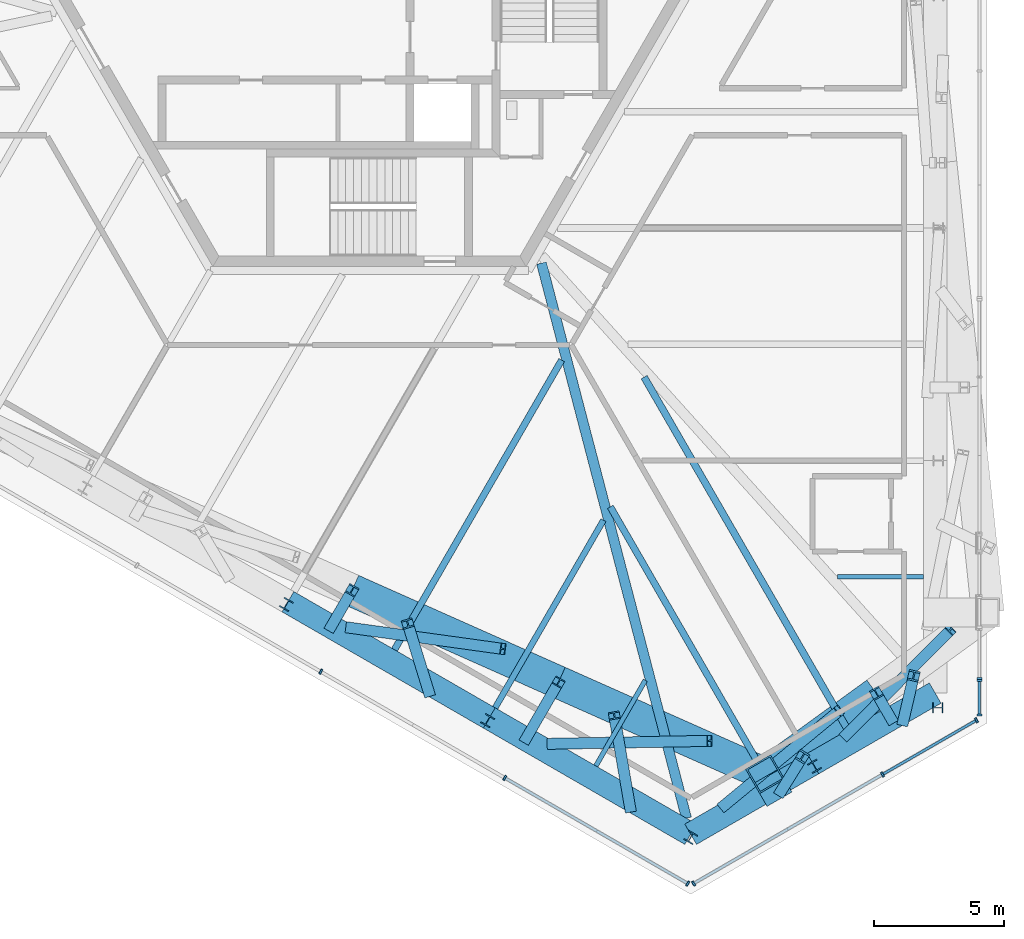
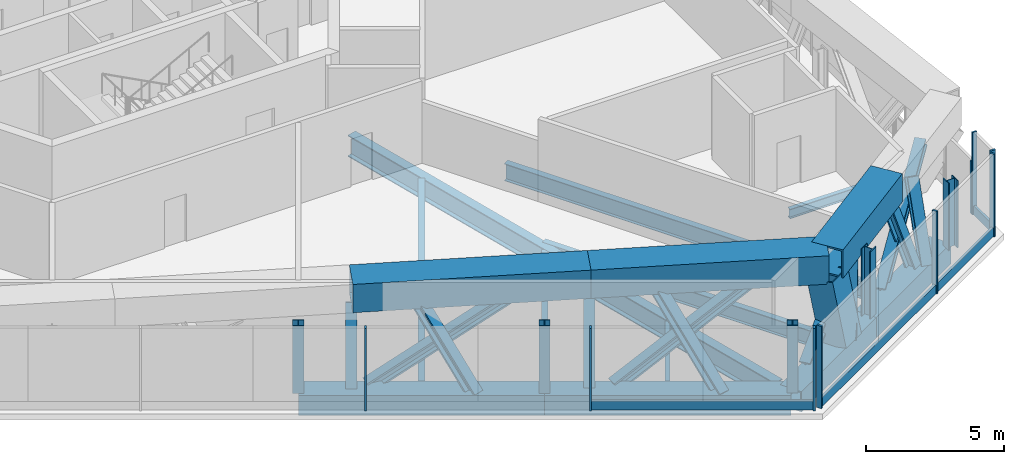
# One storey, part 3 of 23: 37 members, 7 beams, 4 elements without a shape of their own.
"""IFC4 building model written with IfcOpenShell, lengths in metres."""

from ifc_helpers import new_model, si_unit, direction, frame, origin, origin_2d, place, context, subcontext, project, spatial, rectangle, hollow_rectangle, i_section, extrude, source, transform, mapped, material, material_profile, profile_set, type_object, element, aggregate, save


model = new_model("IFC4")

# Units and contexts
model_context = context("Model", 3, precision=1e-05, world=origin(), true_north=direction((0.0, 1.0)))
body_context = subcontext(model_context, "Body", "Model", "MODEL_VIEW")
ifc_project = project(units=[si_unit("LENGTHUNIT", "METRE"), si_unit("AREAUNIT", "SQUARE_METRE"), si_unit("VOLUMEUNIT", "CUBIC_METRE"), si_unit("PLANEANGLEUNIT", "RADIAN"), si_unit("MASSUNIT", "GRAM", prefix="KILO")], contexts=[model_context])

# Site, building, storey
site_placement = place(None, origin())
site = spatial("IfcSite", under=ifc_project, at=site_placement, CompositionType="ELEMENT")
building_placement = place(site_placement, origin())
building = spatial("IfcBuilding", under=site, at=building_placement, Name="Triune Harvest Tower", CompositionType="ELEMENT")
storey_placement = place(building_placement, frame((0.0, 0.0, 54.699951171875)))
storey = spatial("IfcBuildingStorey", under=building, at=storey_placement, Name="L12", CompositionType="ELEMENT", Elevation=54.699951171875)

# Beams
ifc_material_1 = material(Name="Steel ASTM A992 Gr 50", Category="steel")
ifc_material_profile_1 = material_profile(ifc_material_1, i_section(OverallWidth=0.383544921875, OverallDepth=0.9423828125, WebThickness=0.022216796875, FlangeThickness=0.039794921875, at=origin_2d()), Name="W36x232")
ifc_profile_set_1 = profile_set([ifc_material_profile_1], Name="Steel ASTM A992 Gr 50")
beam_type_1 = type_object("IfcBeamType", Name="HG-1 Hip girder W36x232", PredefinedType="BEAM", material=ifc_profile_set_1)
beam_1_placement = place(storey_placement, frame((12.1494140625, -31.528076171875, -0.72119140625), z_axis=(-0.252701696563, 0.967544238035, 0.0), x_axis=(-0.967544238035, -0.252701696563, 0.0)))
element("IfcBeam", 1, at=beam_1_placement, inside=storey, type_object=beam_type_1, Name="beam/L12/HG6", PredefinedType="BEAM", context=body_context, shape_type="SweptSolid", body=[
    extrude(i_section(OverallWidth=0.383544921875, OverallDepth=0.9423828125, WebThickness=0.022216796875, FlangeThickness=0.039794921875, at=origin_2d()), origin(), (0.0, 0.0, 1.0), 21.986083984375),
])
ifc_material_2 = material(Name="Steel ASTM A992 Gr 50", Category="steel")
ifc_material_profile_2 = material_profile(ifc_material_2, i_section(OverallWidth=0.22900390625, OverallDepth=0.612060546875, WebThickness=0.011962890625, FlangeThickness=0.01953125, at=origin_2d()), Name="W24x84")
ifc_profile_set_2 = profile_set([ifc_material_profile_2], Name="Steel ASTM A992 Gr 50")
beam_type_2 = type_object("IfcBeamType", Name="JT-3 Floor joist W24x84", PredefinedType="JOIST", material=ifc_profile_set_2)
beam_2_placement = place(storey_placement, frame((4.81787109375, -27.29541015625, -0.55615234375), z_axis=(0.499976205214, 0.866039141275, 0.0), x_axis=(-0.866039141275, 0.499976205214, 0.0)))
element("IfcBeam", 2, at=beam_2_placement, inside=storey, type_object=beam_type_2, Name="beam/L12/JT36", PredefinedType="JOIST", context=body_context, shape_type="SweptSolid", body=[
    extrude(i_section(OverallWidth=0.22900390625, OverallDepth=0.612060546875, WebThickness=0.011962890625, FlangeThickness=0.01953125, at=origin_2d()), origin(), (0.0, 0.0, 1.0), 8.30078125),
])
ifc_material_3 = material(Name="Steel ASTM A992 Gr 50", Category="steel")
ifc_material_profile_3 = material_profile(ifc_material_3, i_section(OverallWidth=0.180908203125, OverallDepth=0.41650390625, WebThickness=0.010986328125, FlangeThickness=0.01806640625, at=origin_2d()), Name="W16x57")
ifc_profile_set_3 = profile_set([ifc_material_profile_3], Name="Steel ASTM A992 Gr 50")
beam_type_3 = type_object("IfcBeamType", Name="JT-1 Floor joist W16x57", PredefinedType="JOIST", material=ifc_profile_set_3)
shared_shape_1 = source(origin(), body_context, "Body", "SweptSolid", [
    extrude(i_section(OverallWidth=0.180908203125, OverallDepth=0.41650390625, WebThickness=0.010986328125, FlangeThickness=0.01806640625, at=origin_2d()), origin(), (0.0, 0.0, 1.0), 3.3017578125),
])
beam_3_placement = place(storey_placement, frame((21.2294921875, -22.27490234375, -0.458251953125), z_axis=(-1.0, 0.0, 0.0), x_axis=(0.0, -1.0, 0.0)))
element("IfcBeam", 3, at=beam_3_placement, inside=storey, type_object=beam_type_3, Name="beam/L12/JT1", PredefinedType="JOIST", context=body_context, shape_type="MappedRepresentation", body=[
    mapped(shared_shape_1, transform((0.0, 0.0, 0.0), scale=1.0)),
])
ifc_material_4 = material(Name="Steel ASTM A992 Gr 50", Category="steel")
ifc_material_profile_4 = material_profile(ifc_material_4, i_section(OverallWidth=0.253662109375, OverallDepth=0.683349609375, WebThickness=0.012451171875, FlangeThickness=0.01904296875, at=origin_2d()), Name="W27x94")
ifc_profile_set_4 = profile_set([ifc_material_profile_4], Name="Steel ASTM A992 Gr 50")
beam_type_4 = type_object("IfcBeamType", Name="JT-4 Floor joist W27x94", PredefinedType="JOIST", material=ifc_profile_set_4)
shared_shape_2 = source(origin(), body_context, "Body", "SweptSolid", [
    extrude(i_section(OverallWidth=0.253662109375, OverallDepth=0.683349609375, WebThickness=0.012451171875, FlangeThickness=0.01904296875, at=origin_2d()), origin(), (0.0, 0.0, 1.0), 12.8125),
])
beam_4_placement = place(storey_placement, frame((0.959716796875, -25.06787109375, -0.591552734375), z_axis=(0.500000108836, 0.866025340948, 0.0), x_axis=(-0.866025340948, 0.500000108836, 0.0)))
element("IfcBeam", 4, at=beam_4_placement, inside=storey, type_object=beam_type_4, Name="beam/L12/JT35", PredefinedType="JOIST", context=body_context, shape_type="MappedRepresentation", body=[
    mapped(shared_shape_2, transform((0.0, 0.0, 0.0), scale=1.0)),
])
shared_shape_3 = source(origin(), body_context, "Body", "SweptSolid", [
    extrude(i_section(OverallWidth=0.180908203125, OverallDepth=0.41650390625, WebThickness=0.010986328125, FlangeThickness=0.01806640625, at=origin_2d()), origin(), (0.0, 0.0, 1.0), 3.788818359375),
])
beam_5_placement = place(storey_placement, frame((8.676025390625, -29.522705078125, -0.458251953125), z_axis=(0.4999716012, 0.866041799218, 0.0), x_axis=(-0.866041799218, 0.4999716012, 0.0)))
element("IfcBeam", 5, at=beam_5_placement, inside=storey, type_object=beam_type_3, Name="beam/L12/JT37", PredefinedType="JOIST", context=body_context, shape_type="MappedRepresentation", body=[
    mapped(shared_shape_3, transform((0.0, 0.0, 0.0), scale=1.0)),
])
shared_shape_4 = source(origin(), body_context, "Body", "SweptSolid", [
    extrude(i_section(OverallWidth=0.253662109375, OverallDepth=0.683349609375, WebThickness=0.012451171875, FlangeThickness=0.01904296875, at=origin_2d()), origin(), (0.0, 0.0, 1.0), 11.953125),
])
beam_6_placement = place(storey_placement, frame((15.20751953125, -29.947021484375, -0.591552734375), z_axis=(-0.499996495671, 0.866027427, 0.0), x_axis=(-0.866027427, -0.499996495671, 0.0)))
element("IfcBeam", 6, at=beam_6_placement, inside=storey, type_object=beam_type_4, Name="beam/L12/JT38", PredefinedType="JOIST", context=body_context, shape_type="MappedRepresentation", body=[
    mapped(shared_shape_4, transform((0.0, 0.0, 0.0), scale=1.0)),
])
ifc_material_5 = material(Name="Steel ASTM A992 Gr 50", Category="steel")
ifc_material_profile_5 = material_profile(ifc_material_5, i_section(OverallWidth=0.2666015625, OverallDepth=0.7568359375, WebThickness=0.013916015625, FlangeThickness=0.019287109375, at=origin_2d()), Name="W30x108")
ifc_profile_set_5 = profile_set([ifc_material_profile_5], Name="Steel ASTM A992 Gr 50")
beam_type_5 = type_object("IfcBeamType", Name="JT-5 Floor joist W30x108", PredefinedType="JOIST", material=ifc_profile_set_5)
shared_shape_5 = source(origin(), body_context, "Body", "SweptSolid", [
    extrude(i_section(OverallWidth=0.2666015625, OverallDepth=0.7568359375, WebThickness=0.013916015625, FlangeThickness=0.019287109375, at=origin_2d()), origin(), (0.0, 0.0, 1.0), 15.610107421875),
])
beam_7_placement = place(storey_placement, frame((18.3310546875, -28.1435546875, -0.62841796875), z_axis=(-0.50000449891, 0.866022806322, 0.0), x_axis=(-0.866022806322, -0.50000449891, 0.0)))
element("IfcBeam", 7, at=beam_7_placement, inside=storey, type_object=beam_type_5, Name="beam/L12/JT39", PredefinedType="JOIST", context=body_context, shape_type="MappedRepresentation", body=[
    mapped(shared_shape_5, transform((0.0, 0.0, 0.0), scale=1.0)),
])

# Members
ifc_material_6 = material(Name="Steel ASTM A992 Gr 50", Category="steel")
ifc_material_profile_6 = material_profile(ifc_material_6, i_section(OverallWidth=0.40380859375, OverallDepth=0.406494140625, WebThickness=0.027099609375, FlangeThickness=0.043701171875, at=origin_2d()), Name="W14x233")
ifc_profile_set_6 = profile_set([ifc_material_profile_6], Name="Steel ASTM A992 Gr 50")
member_type_1 = type_object("IfcMemberType", Name="WP-1 Roof edge post W14x233", PredefinedType="POST", material=ifc_profile_set_6)
shared_shape_6 = source(origin(), body_context, "Body", "SweptSolid", [
    extrude(i_section(OverallWidth=0.40380859375, OverallDepth=0.406494140625, WebThickness=0.027099609375, FlangeThickness=0.043701171875, at=origin_2d()), origin(), (0.0, 0.0, 1.0), 2.9755859375),
])
for number, where, z_axis, x_axis, name in (
    (8, (21.782470703125, -27.2900390625, -0.25), (0.0, 0.0, 1.0), (0.0, 1.0, 0.0), "post/L12/W0"),
    (9, (-3.18359375, -23.333984375, -0.25), (0.0, 0.0, 1.0), (0.866025403784, -0.5, 0.0), "post/L12/W20"),
    (10, (4.53271484375, -27.788818359375, -0.25), (0.0, 0.0, 1.0), (0.866025403784, -0.5, 0.0), "post/L12/W21"),
    (11, (12.30908203125, -32.260009765625, -0.25), (0.0, 0.0, 1.0), (0.866025403784, -0.5, 0.0), "post/L12/W22"),
    (12, (17.05419921875, -29.538818359375, -0.25), (0.0, 0.0, 1.0), (0.866026276448, 0.4999984885, 0.0), "post/L12/W23"),
):
    element("IfcMember", number, at=place(storey_placement, frame(where, z_axis=z_axis, x_axis=x_axis)), inside=storey, type_object=member_type_1, Name=name, PredefinedType="POST", context=body_context, shape_type="MappedRepresentation", body=[
        mapped(shared_shape_6, transform((0.0, 0.0, 0.0), scale=1.0)),
    ])
ifc_material_7 = material(Name="Steel ASTM A572 Gr 50", Category="steel")
ifc_material_profile_7 = material_profile(ifc_material_7, hollow_rectangle(XDim=0.89990234375, YDim=0.89990234375, WallThickness=0.050048828125, at=origin_2d()), Name="Box 900x900x50")
ifc_profile_set_7 = profile_set([ifc_material_profile_7], Name="Steel ASTM A572 Gr 50")
member_type_2 = type_object("IfcMemberType", Name="TC-2 Belt truss chord Box 900x900x50", PredefinedType="CHORD", material=ifc_profile_set_7)
shared_shape_7 = source(origin(), body_context, "Body", "SweptSolid", [
    extrude(hollow_rectangle(XDim=0.89990234375, YDim=0.89990234375, WallThickness=0.050048828125, at=origin_2d()), origin(), (0.0, 0.0, 1.0), 8.909912109375),
])
member_1_placement = place(storey_placement, frame((4.5927734375, -27.68505859375, -0.699951171875), z_axis=(0.866034096015, -0.499984944314, 0.0), x_axis=(0.499984944314, 0.866034096015, 0.0)))
element("IfcMember", 13, at=member_1_placement, inside=storey, type_object=member_type_2, Name="truss/L12/TCB22", PredefinedType="CHORD", context=body_context, shape_type="MappedRepresentation", body=[
    mapped(shared_shape_7, transform((0.0, 0.0, 0.0), scale=1.0)),
])
shared_shape_8 = source(origin(), body_context, "Body", "SweptSolid", [
    extrude(hollow_rectangle(XDim=0.89990234375, YDim=0.89990234375, WallThickness=0.050048828125, at=origin_2d()), origin(), (0.0, 0.0, 1.0), 8.91015625),
])
member_2_placement = place(storey_placement, frame((-3.12353515625, -23.22998046875, -0.699951171875), z_axis=(0.866022231217, -0.500005495009, 0.0), x_axis=(0.500005495009, 0.866022231217, 0.0)))
element("IfcMember", 14, at=member_2_placement, inside=storey, type_object=member_type_2, Name="truss/L12/TCB21", PredefinedType="CHORD", context=body_context, shape_type="MappedRepresentation", body=[
    mapped(shared_shape_8, transform((0.0, 0.0, 0.0), scale=1.0)),
])
shared_shape_9 = source(origin(), body_context, "Body", "SweptSolid", [
    extrude(hollow_rectangle(XDim=0.89990234375, YDim=0.89990234375, WallThickness=0.050048828125, at=origin_2d()), origin(), (0.0, 0.0, 1.0), 5.409912109375),
])
for number, where, z_axis, x_axis, name in (
    (15, (12.30908203125, -32.139892578125, -0.699951171875), (0.866043556948, 0.499968556481, 0.0), (-0.499968556481, 0.866043556948, 0.0), "truss/L12/TCB23"),
    (16, (16.994384765625, -29.43505859375, -0.699951171875), (0.866012734315, 0.500021943523, 0.0), (-0.500021943523, 0.866012734315, 0.0), "truss/L12/TCB24"),
):
    element("IfcMember", number, at=place(storey_placement, frame(where, z_axis=z_axis, x_axis=x_axis)), inside=storey, type_object=member_type_2, Name=name, PredefinedType="CHORD", context=body_context, shape_type="MappedRepresentation", body=[
        mapped(shared_shape_9, transform((0.0, 0.0, 0.0), scale=1.0)),
    ])
ifc_material_8 = material(Name="Steel ASTM A572 Gr 50", Category="steel")
ifc_material_profile_8 = material_profile(ifc_material_8, hollow_rectangle(XDim=1.25, YDim=1.25, WallThickness=0.070068359375, at=origin_2d()), Name="Box 1250x1250x70")
ifc_profile_set_8 = profile_set([ifc_material_profile_8], Name="Steel ASTM A572 Gr 50")
member_type_3 = type_object("IfcMemberType", Name="TC-1 Belt truss chord Box 1250x1250x70", PredefinedType="CHORD", material=ifc_profile_set_8)
shared_shape_10 = source(origin(), body_context, "Body", "SweptSolid", [
    extrude(hollow_rectangle(XDim=1.25, YDim=1.25, WallThickness=0.070068359375, at=origin_2d()), origin(), (0.0, 0.0, 1.0), 8.662109375),
])
member_3_placement = place(storey_placement, frame((-0.665771484375, -22.792236328125, 3.01513671875), z_axis=(0.913547524684, -0.406732000392, 0.0), x_axis=(0.406732000392, 0.913547524684, 0.0)))
element("IfcMember", 17, at=member_3_placement, inside=storey, type_object=member_type_3, Name="truss/L12/TCT21", PredefinedType="CHORD", context=body_context, shape_type="MappedRepresentation", body=[
    mapped(shared_shape_10, transform((0.0, 0.0, 0.0), scale=1.0)),
])
shared_shape_11 = source(origin(), body_context, "Body", "SweptSolid", [
    extrude(hollow_rectangle(XDim=1.25, YDim=1.25, WallThickness=0.070068359375, at=origin_2d()), origin(), (0.0, 0.0, 1.0), 8.662353515625),
])
member_4_placement = place(storey_placement, frame((7.24755859375, -26.3154296875, 3.01513671875), z_axis=(0.913537051977, -0.406755521986, 0.0), x_axis=(0.406755521986, 0.913537051977, 0.0)))
element("IfcMember", 18, at=member_4_placement, inside=storey, type_object=member_type_3, Name="truss/L12/TCT22", PredefinedType="CHORD", context=body_context, shape_type="MappedRepresentation", body=[
    mapped(shared_shape_11, transform((0.0, 0.0, 0.0), scale=1.0)),
])
shared_shape_12 = source(origin(), body_context, "Body", "SweptSolid", [
    extrude(hollow_rectangle(XDim=1.25, YDim=1.25, WallThickness=0.070068359375, at=origin_2d()), origin(), (0.0, 0.0, 1.0), 5.273193359375),
])
member_5_placement = place(storey_placement, frame((15.160888671875, -29.8388671875, 3.01513671875), z_axis=(0.809008278937, 0.587797247876, 0.0), x_axis=(-0.587797247876, 0.809008278937, 0.0)))
element("IfcMember", 19, at=member_5_placement, inside=storey, type_object=member_type_3, Name="truss/L12/TCT23", PredefinedType="CHORD", context=body_context, shape_type="MappedRepresentation", body=[
    mapped(shared_shape_12, transform((0.0, 0.0, 0.0), scale=1.0)),
])
ifc_material_9 = material(Name="Steel ASTM A992 Gr 50", Category="steel")
ifc_material_profile_9 = material_profile(ifc_material_9, i_section(OverallWidth=0.411376953125, OverallDepth=0.434326171875, WebThickness=0.035888671875, FlangeThickness=0.057373046875, at=origin_2d()), Name="W14x311")
ifc_profile_set_9 = profile_set([ifc_material_profile_9], Name="Steel ASTM A992 Gr 50")
member_type_4 = type_object("IfcMemberType", Name="TV-1 Belt truss strut W14x311", PredefinedType="STRUT", material=ifc_profile_set_9)
shared_shape_13 = source(origin(), body_context, "Body", "SweptSolid", [
    extrude(i_section(OverallWidth=0.411376953125, OverallDepth=0.434326171875, WebThickness=0.035888671875, FlangeThickness=0.057373046875, at=origin_2d()), origin(), (0.0, 0.0, 1.0), 3.142578125),
])
member_6_placement = place(storey_placement, frame((-1.4697265625, -24.184814453125, -0.27490234375), z_axis=(0.255832342786, 0.443142327134, 0.859170931938), x_axis=(-0.866038942563, 0.499976549414, 0.0)))
element("IfcMember", 20, at=member_6_placement, inside=storey, type_object=member_type_4, Name="truss/L12/TS21", PredefinedType="STRUT", context=body_context, shape_type="MappedRepresentation", body=[
    mapped(shared_shape_13, transform((0.0, 0.0, 0.0), scale=1.0)),
])
shared_shape_14 = source(origin(), body_context, "Body", "SweptSolid", [
    extrude(i_section(OverallWidth=0.411376953125, OverallDepth=0.434326171875, WebThickness=0.035888671875, FlangeThickness=0.057373046875, at=origin_2d()), origin(), (0.0, 0.0, 1.0), 3.688720703125),
])
member_7_placement = place(storey_placement, frame((5.990966796875, -28.4921875, -0.27490234375), z_axis=(0.340653211593, 0.590103756472, 0.731937802022), x_axis=(-0.866052952139, 0.499952281815, 0.0)))
element("IfcMember", 21, at=member_7_placement, inside=storey, type_object=member_type_4, Name="truss/L12/TS22", PredefinedType="STRUT", context=body_context, shape_type="MappedRepresentation", body=[
    mapped(shared_shape_14, transform((0.0, 0.0, 0.0), scale=1.0)),
])
ifc_material_10 = material(Name="Steel ASTM A572 Gr 50", Category="steel")
ifc_material_profile_10 = material_profile(ifc_material_10, hollow_rectangle(XDim=1.10009765625, YDim=1.10009765625, WallThickness=0.06005859375, at=origin_2d()), Name="Box 1100x1100x60")
ifc_profile_set_10 = profile_set([ifc_material_profile_10], Name="Steel ASTM A572 Gr 50")
member_type_5 = type_object("IfcMemberType", Name="TS-1 Belt truss raked strut Box 1100x1100x60", PredefinedType="STRUT", material=ifc_profile_set_10)
shared_shape_15 = source(origin(), body_context, "Body", "SweptSolid", [
    extrude(hollow_rectangle(XDim=1.10009765625, YDim=1.10009765625, WallThickness=0.06005859375, at=origin_2d()), origin(), (0.0, 0.0, 1.0), 2.7587890625),
])
member_8_placement = place(storey_placement, frame((15.4443359375, -30.329833984375, -0.27490234375), z_axis=(-0.102741945503, 0.177962146776, 0.978659065737), x_axis=(-0.8660349869, -0.499983401189, 0.0)))
element("IfcMember", 22, at=member_8_placement, inside=storey, type_object=member_type_5, Name="truss/L12/TS23", PredefinedType="STRUT", context=body_context, shape_type="MappedRepresentation", body=[
    mapped(shared_shape_15, transform((0.0, 0.0, 0.0), scale=1.0)),
])
shared_shape_16 = source(origin(), body_context, "Body", "SweptSolid", [
    extrude(i_section(OverallWidth=0.411376953125, OverallDepth=0.434326171875, WebThickness=0.035888671875, FlangeThickness=0.057373046875, at=origin_2d()), origin(), (0.0, 0.0, 1.0), 2.92236328125),
])
member_9_placement = place(storey_placement, frame((19.986083984375, -27.70751953125, -0.27490234375), z_axis=(-0.191315726979, 0.331335446812, 0.923912936535), x_axis=(-0.866003766563, -0.500037474894, 0.0)))
element("IfcMember", 23, at=member_9_placement, inside=storey, type_object=member_type_4, Name="truss/L12/TS24", PredefinedType="STRUT", context=body_context, shape_type="MappedRepresentation", body=[
    mapped(shared_shape_16, transform((0.0, 0.0, 0.0), scale=1.0)),
])
ifc_material_11 = material(Name="Steel ASTM A992 Gr 50", Category="steel")
ifc_material_profile_11 = material_profile(ifc_material_11, i_section(OverallWidth=0.424072265625, OverallDepth=0.47509765625, WebThickness=0.0478515625, FlangeThickness=0.0771484375, at=origin_2d()), Name="W14x426")
ifc_profile_set_11 = profile_set([ifc_material_profile_11], Name="Steel ASTM A992 Gr 50")
member_type_6 = type_object("IfcMemberType", Name="TD-1 Belt truss diagonal W14x426", PredefinedType="BRACE", material=ifc_profile_set_11)
shared_shape_17 = source(origin(), body_context, "Body", "SweptSolid", [
    extrude(i_section(OverallWidth=0.424072265625, OverallDepth=0.47509765625, WebThickness=0.0478515625, FlangeThickness=0.0771484375, at=origin_2d()), origin(), (0.0, 0.0, 1.0), 6.58056640625),
])
member_10_placement = place(storey_placement, frame((-0.808349609375, -24.22021484375, -0.324951171875), z_axis=(0.899938014807, -0.1243967582, 0.417895939266), x_axis=(0.136926204157, 0.99058125089, 0.0)))
element("IfcMember", 24, at=member_10_placement, inside=storey, type_object=member_type_6, Name="truss/L12/TD41", PredefinedType="BRACE", context=body_context, shape_type="MappedRepresentation", body=[
    mapped(shared_shape_17, transform((0.0, 0.0, 0.0), scale=1.0)),
])
shared_shape_18 = source(origin(), body_context, "Body", "SweptSolid", [
    extrude(i_section(OverallWidth=0.424072265625, OverallDepth=0.47509765625, WebThickness=0.0478515625, FlangeThickness=0.0771484375, at=origin_2d()), origin(), (0.0, 0.0, 1.0), 4.5380859375),
])
member_11_placement = place(storey_placement, frame((9.993896484375, -31.14990234375, -0.324951171875), z_axis=(-0.134926305268, 0.783949808758, 0.605984809624), x_axis=(-0.985510053996, -0.169617019999, 0.0)))
element("IfcMember", 25, at=member_11_placement, inside=storey, type_object=member_type_6, Name="truss/L12/TD44", PredefinedType="BRACE", context=body_context, shape_type="MappedRepresentation", body=[
    mapped(shared_shape_18, transform((0.0, 0.0, 0.0), scale=1.0)),
])
shared_shape_19 = source(origin(), body_context, "Body", "SweptSolid", [
    extrude(i_section(OverallWidth=0.424072265625, OverallDepth=0.47509765625, WebThickness=0.0478515625, FlangeThickness=0.0771484375, at=origin_2d()), origin(), (0.0, 0.0, 1.0), 6.408447265625),
])
member_12_placement = place(storey_placement, frame((13.529296875, -31.089111328125, -0.324951171875), z_axis=(0.697212761945, 0.574235722682, 0.42912434023), x_axis=(-0.635747168808, 0.771897361929, 0.0)))
element("IfcMember", 26, at=member_12_placement, inside=storey, type_object=member_type_6, Name="truss/L12/TD45", PredefinedType="BRACE", context=body_context, shape_type="MappedRepresentation", body=[
    mapped(shared_shape_19, transform((0.0, 0.0, 0.0), scale=1.0)),
])
shared_shape_20 = source(origin(), body_context, "Body", "SweptSolid", [
    extrude(i_section(OverallWidth=0.424072265625, OverallDepth=0.47509765625, WebThickness=0.0478515625, FlangeThickness=0.0771484375, at=origin_2d()), origin(), (0.0, 0.0, 1.0), 3.15673828125),
])
member_13_placement = place(storey_placement, frame((15.774169921875, -30.48583984375, -0.324951171875), z_axis=(0.258710100074, 0.417261880388, 0.871184026079), x_axis=(-0.849895636519, 0.526951048036, 0.0)))
element("IfcMember", 27, at=member_13_placement, inside=storey, type_object=member_type_6, Name="truss/L12/TD46", PredefinedType="BRACE", context=body_context, shape_type="MappedRepresentation", body=[
    mapped(shared_shape_20, transform((0.0, 0.0, 0.0), scale=1.0)),
])
shared_shape_21 = source(origin(), body_context, "Body", "SweptSolid", [
    extrude(i_section(OverallWidth=0.424072265625, OverallDepth=0.47509765625, WebThickness=0.0478515625, FlangeThickness=0.0771484375, at=origin_2d()), origin(), (0.0, 0.0, 1.0), 3.263427734375),
])
member_14_placement = place(storey_placement, frame((20.45947265625, -27.78076171875, -0.324951171875), z_axis=(0.121790595458, 0.524492545917, 0.842659255058), x_axis=(-0.97408353603, 0.226188560356, 0.0)))
element("IfcMember", 28, at=member_14_placement, inside=storey, type_object=member_type_6, Name="truss/L12/TD48", PredefinedType="BRACE", context=body_context, shape_type="MappedRepresentation", body=[
    mapped(shared_shape_21, transform((0.0, 0.0, 0.0), scale=1.0)),
])
shared_shape_22 = source(origin(), body_context, "Body", "SweptSolid", [
    extrude(i_section(OverallWidth=0.424072265625, OverallDepth=0.47509765625, WebThickness=0.0478515625, FlangeThickness=0.0771484375, at=origin_2d()), origin(), (0.0, 0.0, 1.0), 3.8876953125),
])
member_15_placement = place(storey_placement, frame((2.277587890625, -26.69482421875, -0.324951171875), z_axis=(-0.208242703355, 0.67546999918, 0.707372077981), x_axis=(-0.955617503003, -0.294610230565, 0.0)))
element("IfcMember", 29, at=member_15_placement, inside=storey, type_object=member_type_6, Name="truss/L12/TD42", PredefinedType="BRACE", context=body_context, shape_type="MappedRepresentation", body=[
    mapped(shared_shape_22, transform((0.0, 0.0, 0.0), scale=1.0)),
])
shared_shape_23 = source(origin(), body_context, "Body", "SweptSolid", [
    extrude(i_section(OverallWidth=0.424072265625, OverallDepth=0.47509765625, WebThickness=0.0478515625, FlangeThickness=0.0771484375, at=origin_2d()), origin(), (0.0, 0.0, 1.0), 6.709716796875),
])
member_16_placement = place(storey_placement, frame((6.907958984375, -28.67529296875, -0.324951171875), z_axis=(0.911992940794, 0.01688336756, 0.409858302151), x_axis=(-0.01850943625, 0.999828685711, 0.0)))
element("IfcMember", 30, at=member_16_placement, inside=storey, type_object=member_type_6, Name="truss/L12/TD43", PredefinedType="BRACE", context=body_context, shape_type="MappedRepresentation", body=[
    mapped(shared_shape_23, transform((0.0, 0.0, 0.0), scale=1.0)),
])
shared_shape_24 = source(origin(), body_context, "Body", "SweptSolid", [
    extrude(i_section(OverallWidth=0.424072265625, OverallDepth=0.47509765625, WebThickness=0.0478515625, FlangeThickness=0.0771484375, at=origin_2d()), origin(), (0.0, 0.0, 1.0), 6.36865234375),
])
member_17_placement = place(storey_placement, frame((18.21435546875, -28.38427734375, -0.324951171875), z_axis=(0.635789472223, 0.639776334153, 0.431807815201), x_axis=(-0.709313423649, 0.704893230944, 0.0)))
element("IfcMember", 31, at=member_17_placement, inside=storey, type_object=member_type_6, Name="truss/L12/TD47", PredefinedType="BRACE", context=body_context, shape_type="MappedRepresentation", body=[
    mapped(shared_shape_24, transform((0.0, 0.0, 0.0), scale=1.0)),
])

# Curtain wall, members
ifc_material_12 = material(Name="Aluminium bronze anodised", Category="aluminium")
curtain_wall_type = type_object("IfcCurtainWallType", Name="CW-5 Plant louvre wall", PredefinedType="NOTDEFINED", material=ifc_material_12)
curtain_wall_1_placement = place(storey_placement, origin())
curtain_wall_1 = element("IfcCurtainWall", 32, at=curtain_wall_1_placement, inside=storey, type_object=curtain_wall_type, Name="CW-5 B1-F1 L12 run 1")
ifc_material_13 = material(Name="Aluminium bronze anodised", Category="aluminium")
ifc_material_profile_12 = material_profile(ifc_material_13, rectangle(XDim=0.199951171875, YDim=0.080078125, at=origin_2d()), Name="MU-5 mullion 80 x 200")
ifc_profile_set_12 = profile_set([ifc_material_profile_12], Name="Aluminium bronze anodised")
member_type_7 = type_object("IfcMemberType", Name="MU-5 mullion 80 x 200", PredefinedType="MULLION", material=ifc_profile_set_12)
shared_shape_25 = source(origin(), body_context, "Body", "SweptSolid", [
    extrude(rectangle(XDim=0.199951171875, YDim=0.080078125, at=origin_2d()), origin(), (0.0, 0.0, 1.0), 3.64013671875),
])
member_18_placement = place(storey_placement, frame((23.371337890625, -27.576904296875, 0.0), z_axis=(0.0, 0.0, 1.0), x_axis=(-1.0, 0.0, 0.0)))
member_18 = element("IfcMember", 33, at=member_18_placement, type_object=member_type_7, Name="CW-5 mullion B1-F1 1.1", PredefinedType="MULLION", context=body_context, shape_type="MappedRepresentation", body=[
    mapped(shared_shape_25, transform((0.0, 0.0, 0.0), scale=1.0)),
])
member_19_placement = place(storey_placement, frame((23.371337890625, -26.244873046875, 0.0), z_axis=(0.0, 0.0, 1.0), x_axis=(-1.0, 0.0, 0.0)))
member_19 = element("IfcMember", 34, at=member_19_placement, type_object=member_type_7, Name="CW-5 mullion B1-F1 1.2", PredefinedType="MULLION", context=body_context, shape_type="MappedRepresentation", body=[
    mapped(shared_shape_25, transform((0.0, 0.0, 0.0), scale=1.0)),
])

curtain_wall_2_placement = place(storey_placement, origin())
curtain_wall_2 = element("IfcCurtainWall", 35, at=curtain_wall_2_placement, inside=storey, type_object=curtain_wall_type, Name="CW-5 B1-F5 L12 run 601")
member_20_placement = place(storey_placement, frame((-1.86376953125, -25.910888671875, 0.0), z_axis=(0.0, 0.0, 1.0), x_axis=(0.499999872717, 0.866025477272, 0.0)))
member_20 = element("IfcMember", 36, at=member_20_placement, type_object=member_type_7, Name="CW-5 mullion B1-F5 601.7", PredefinedType="MULLION", context=body_context, shape_type="MappedRepresentation", body=[
    mapped(shared_shape_25, transform((0.0, 0.0, 0.0), scale=1.0)),
])
member_21_placement = place(storey_placement, frame((5.183837890625, -29.979736328125, 0.0), z_axis=(0.0, 0.0, 1.0), x_axis=(0.499999872717, 0.866025477272, 0.0)))
member_21 = element("IfcMember", 37, at=member_21_placement, type_object=member_type_7, Name="CW-5 mullion B1-F5 601.9", PredefinedType="MULLION", context=body_context, shape_type="MappedRepresentation", body=[
    mapped(shared_shape_25, transform((0.0, 0.0, 0.0), scale=1.0)),
])
member_22_placement = place(storey_placement, frame((12.196533203125, -34.028564453125, 0.0), z_axis=(0.0, 0.0, 1.0), x_axis=(0.499999872717, 0.866025477272, 0.0)))
member_22 = element("IfcMember", 38, at=member_22_placement, type_object=member_type_7, Name="CW-5 mullion B1-F5 601.11", PredefinedType="MULLION", context=body_context, shape_type="MappedRepresentation", body=[
    mapped(shared_shape_25, transform((0.0, 0.0, 0.0), scale=1.0)),
])

curtain_wall_3_placement = place(storey_placement, origin())
curtain_wall_3 = element("IfcCurtainWall", 39, at=curtain_wall_3_placement, inside=storey, type_object=curtain_wall_type, Name="CW-5 B1-F6 L12 run 1")
member_23_placement = place(storey_placement, frame((12.421630859375, -34.028564453125, 0.0), z_axis=(0.0, 0.0, 1.0), x_axis=(-0.499998715149, 0.866026145592, 0.0)))
member_23 = element("IfcMember", 40, at=member_23_placement, type_object=member_type_7, Name="CW-5 mullion B1-F6 1.1", PredefinedType="MULLION", context=body_context, shape_type="MappedRepresentation", body=[
    mapped(shared_shape_25, transform((0.0, 0.0, 0.0), scale=1.0)),
])
member_24_placement = place(storey_placement, frame((19.657958984375, -29.850830078125, 0.0), z_axis=(0.0, 0.0, 1.0), x_axis=(-0.499998715149, 0.866026145592, 0.0)))
member_24 = element("IfcMember", 41, at=member_24_placement, type_object=member_type_7, Name="CW-5 mullion B1-F6 1.3", PredefinedType="MULLION", context=body_context, shape_type="MappedRepresentation", body=[
    mapped(shared_shape_25, transform((0.0, 0.0, 0.0), scale=1.0)),
])
member_25_placement = place(storey_placement, frame((23.2587890625, -27.771728515625, 0.0), z_axis=(0.0, 0.0, 1.0), x_axis=(-0.499998715149, 0.866026145592, 0.0)))
member_25 = element("IfcMember", 42, at=member_25_placement, type_object=member_type_7, Name="CW-5 mullion B1-F6 1.4", PredefinedType="MULLION", context=body_context, shape_type="MappedRepresentation", body=[
    mapped(shared_shape_25, transform((0.0, 0.0, 0.0), scale=1.0)),
])

# Member
ifc_material_14 = material(Name="Aluminium bronze anodised", Category="aluminium")
ifc_material_profile_13 = material_profile(ifc_material_14, rectangle(XDim=0.10009765625, YDim=0.39990234375, at=origin_2d()), Name="TR-5 transom 100 x 400")
ifc_profile_set_13 = profile_set([ifc_material_profile_13], Name="Aluminium bronze anodised")
member_type_8 = type_object("IfcMemberType", Name="TR-5 transom 100 x 400", PredefinedType="USERDEFINED", material=ifc_profile_set_13)
shared_shape_26 = source(origin(), body_context, "Body", "SweptSolid", [
    extrude(rectangle(XDim=0.10009765625, YDim=0.39990234375, at=origin_2d()), origin(), (0.0, 0.0, 1.0), 1.251953125),
])
member_26_placement = place(storey_placement, frame((23.371337890625, -27.536865234375, 0.199951171875), z_axis=(0.0, 1.0, 0.0), x_axis=(-1.0, 0.0, 0.0)))
member_26 = element("IfcMember", 43, at=member_26_placement, type_object=member_type_8, Name="CW-5 transom B1-F1 1.1", ObjectType="TRANSOM", PredefinedType="USERDEFINED", context=body_context, shape_type="MappedRepresentation", body=[
    mapped(shared_shape_26, transform((0.0, 0.0, 0.0), scale=1.0)),
])

aggregate(curtain_wall_1, [member_18, member_19, member_26])

# Curtain wall, member
curtain_wall_4_placement = place(storey_placement, origin())
curtain_wall_4 = element("IfcCurtainWall", 44, at=curtain_wall_4_placement, inside=storey, type_object=curtain_wall_type, Name="CW-5 B1-F1 L12 run 101")
shared_shape_27 = source(origin(), body_context, "Body", "SweptSolid", [
    extrude(rectangle(XDim=0.199951171875, YDim=0.080078125, at=origin_2d()), origin(), (0.0, 0.0, 1.0), 2.330078125),
])
member_27_placement = place(storey_placement, frame((23.371337890625, -26.164794921875, 0.0), z_axis=(0.0, 0.0, 1.0), x_axis=(-1.0, 0.0, 0.0)))
member_27 = element("IfcMember", 45, at=member_27_placement, type_object=member_type_7, Name="CW-5 mullion B1-F1 101.1", PredefinedType="MULLION", context=body_context, shape_type="MappedRepresentation", body=[
    mapped(shared_shape_27, transform((0.0, 0.0, 0.0), scale=1.0)),
])
aggregate(curtain_wall_4, [member_27])

# Member
shared_shape_28 = source(origin(), body_context, "Body", "SweptSolid", [
    extrude(rectangle(XDim=0.10009765625, YDim=0.39990234375, at=origin_2d()), origin(), (0.0, 0.0, 1.0), 4.077880859375),
])
member_28_placement = place(storey_placement, frame((19.692626953125, -29.830810546875, 0.199951171875), z_axis=(0.86600911372, 0.500028214158, 0.0), x_axis=(-0.500028214158, 0.86600911372, 0.0)))
member_28 = element("IfcMember", 46, at=member_28_placement, type_object=member_type_8, Name="CW-5 transom B1-F6 1.2", ObjectType="TRANSOM", PredefinedType="USERDEFINED", context=body_context, shape_type="MappedRepresentation", body=[
    mapped(shared_shape_28, transform((0.0, 0.0, 0.0), scale=1.0)),
])

shared_shape_29 = source(origin(), body_context, "Body", "SweptSolid", [
    extrude(rectangle(XDim=0.10009765625, YDim=0.39990234375, at=origin_2d()), origin(), (0.0, 0.0, 1.0), 8.017578125),
])
member_29_placement = place(storey_placement, frame((5.218505859375, -29.999755859375, 0.199951171875), z_axis=(0.866023315909, -0.500003616288, 0.0), x_axis=(0.500003616288, 0.866023315909, 0.0)))
member_29 = element("IfcMember", 47, at=member_29_placement, type_object=member_type_8, Name="CW-5 transom B1-F5 601.5", ObjectType="TRANSOM", PredefinedType="USERDEFINED", context=body_context, shape_type="MappedRepresentation", body=[
    mapped(shared_shape_29, transform((0.0, 0.0, 0.0), scale=1.0)),
])

aggregate(curtain_wall_2, [member_20, member_21, member_22, member_29])

shared_shape_30 = source(origin(), body_context, "Body", "SweptSolid", [
    extrude(rectangle(XDim=0.10009765625, YDim=0.39990234375, at=origin_2d()), origin(), (0.0, 0.0, 1.0), 8.275634765625),
])
member_30_placement = place(storey_placement, frame((12.456298828125, -34.008544921875, 0.199951171875), z_axis=(0.866034275465, 0.499984633485, 0.0), x_axis=(-0.499984633485, 0.866034275465, 0.0)))
member_30 = element("IfcMember", 48, at=member_30_placement, type_object=member_type_8, Name="CW-5 transom B1-F6 1.1", ObjectType="TRANSOM", PredefinedType="USERDEFINED", context=body_context, shape_type="MappedRepresentation", body=[
    mapped(shared_shape_30, transform((0.0, 0.0, 0.0), scale=1.0)),
])

aggregate(curtain_wall_3, [member_23, member_24, member_25, member_30, member_28])

save(model, "model.ifc")
